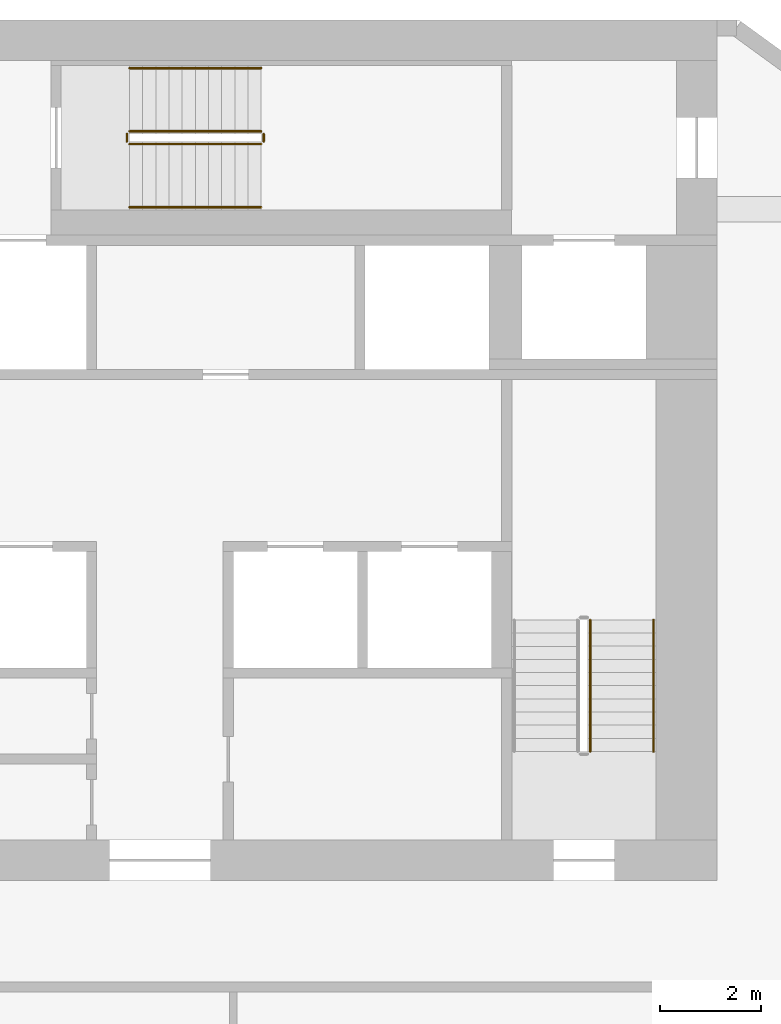
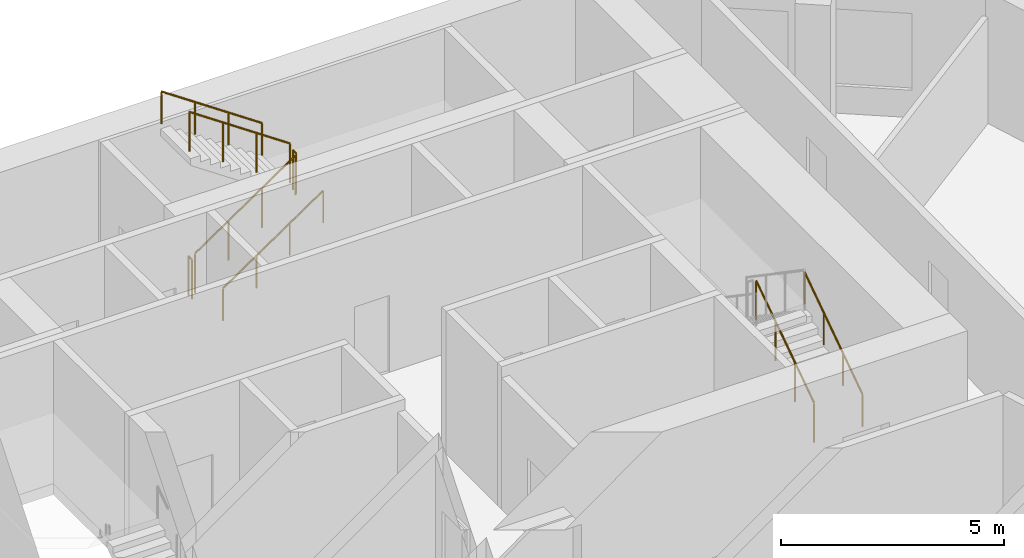
# One storey, part 9 of 9: 8 railings.
"""IFC4 building model written with IfcOpenShell, lengths in metres."""

import ifcopenshell
import ifcopenshell.guid

model = None  # the IFC model being written
_history = None  # IfcOwnerHistory: only IFC2X3 demands one
_inside = {}  # id of a spatial element -> (the spatial element, [elements in it])
_under = {}  # id of a project, library or spatial element -> (it, [spatial elements below it])
_declared = {}  # id of a project -> (the project, [libraries it declares])
_typed = {}  # id of a type object -> (the type object, [elements of that type])
_made_of = {}  # id of a material, layer set ... -> (it, [elements and type objects made of it])


def new_model(schema):
    """Start an empty IFC model of exactly this schema.

    Asked for "IFC4X3", IfcOpenShell would pick the latest addendum, in which some entities
    have other attributes; the version numbers below select the first issue.
    IFC2X3 requires an IfcOwnerHistory on every rooted entity: one is made here for all.
    """
    global model, _history
    if schema == "IFC4X3":
        model = ifcopenshell.file(schema_version=(4, 3, 0, 0))
    else:
        model = ifcopenshell.file(schema=schema)
    _inside.clear()
    _under.clear()
    _declared.clear()
    _typed.clear()
    _made_of.clear()
    _history = None
    if model.schema == "IFC2X3":
        org = make("IfcOrganization", Name="unknown")
        user = make(
            "IfcPersonAndOrganization",
            ThePerson=make("IfcPerson", FamilyName="unknown"),
            TheOrganization=org,
        )
        app = make(
            "IfcApplication",
            ApplicationDeveloper=org,
            Version="unknown",
            ApplicationFullName="unknown",
            ApplicationIdentifier="unknown",
        )
        _history = make(
            "IfcOwnerHistory",
            OwningUser=user,
            OwningApplication=app,
            ChangeAction="ADDED",
            CreationDate=0,
        )
    return model


def make(cls, **values):
    """One entity of the class cls with the attributes given. An attribute that is None is left unset."""
    return model.create_entity(
        cls, **{name: value for name, value in values.items() if value is not None}
    )


def rooted(cls, **values):
    """An entity with a GlobalId (a new one), such as an element, a storey or a relation."""
    return make(cls, GlobalId=ifcopenshell.guid.new(), OwnerHistory=_history, **values)


def si_unit(unit_type, name, prefix=None):
    """IfcSIUnit, for example si_unit("LENGTHUNIT", "METRE", prefix="MILLI")."""
    return make("IfcSIUnit", UnitType=unit_type, Prefix=prefix, Name=name)


def assignment(units):
    """IfcUnitAssignment: the units of a project."""
    return None if units is None else make("IfcUnitAssignment", Units=units)


def point(xyz):
    """IfcCartesianPoint."""
    return None if xyz is None else make("IfcCartesianPoint", Coordinates=xyz)


def direction(xyz):
    """IfcDirection."""
    return None if xyz is None else make("IfcDirection", DirectionRatios=xyz)


def frame(location, z_axis=None, x_axis=None):
    """IfcAxis2Placement3D, a coordinate frame: its origin and axes. An axis left out is left unset."""
    return make(
        "IfcAxis2Placement3D",
        Location=point(location),
        Axis=direction(z_axis),
        RefDirection=direction(x_axis),
    )


def frame_2d(location, x_axis=None):
    """IfcAxis2Placement2D, a coordinate frame in the plane: its origin and x axis."""
    return make(
        "IfcAxis2Placement2D", Location=point(location), RefDirection=direction(x_axis)
    )


def origin():
    """The frame at (0, 0, 0) with its axes left unset."""
    return frame((0.0, 0.0, 0.0))


def origin_2d():
    """The frame at (0, 0) in the plane with its x axis left unset."""
    return frame_2d((0.0, 0.0))


def place(relative_to, where):
    """IfcLocalPlacement: puts the frame where relative to a parent placement (None: the world)."""
    return make(
        "IfcLocalPlacement", PlacementRelTo=relative_to, RelativePlacement=where
    )


def context(
    kind, dimensions, precision=None, world=None, true_north=None, identifier=None
):
    """IfcGeometricRepresentationContext, for example the 3D "Model" context."""
    return make(
        "IfcGeometricRepresentationContext",
        ContextIdentifier=identifier,
        ContextType=kind,
        CoordinateSpaceDimension=dimensions,
        Precision=precision,
        WorldCoordinateSystem=world,
        TrueNorth=true_north,
    )


def subcontext(parent, identifier, kind, view, scale=None):
    """IfcGeometricRepresentationSubContext, for example "Body" below "Model"."""
    return make(
        "IfcGeometricRepresentationSubContext",
        ContextIdentifier=identifier,
        ContextType=kind,
        ParentContext=parent,
        TargetScale=scale,
        TargetView=view,
    )


def project(units=None, contexts=None):
    """IfcProject with its units and contexts."""
    return rooted(
        "IfcProject",
        Name="project",
        RepresentationContexts=contexts,
        UnitsInContext=assignment(units),
    )


def spatial(cls, under=None, at=None, **own):
    """A site, building, storey or space (cls), placed at a placement, below another one or the project."""
    s = rooted(cls, ObjectPlacement=at, **own)
    if under is not None:
        _under.setdefault(under.id(), (under, []))[1].append(s)
    return s


def profile(cls, at=None, kind="AREA", **sizes):
    """A parametric profile (cls). Its sizes go by their IFC names, for example OverallWidth=200.0."""
    return make(cls, ProfileType=kind, Position=at, **sizes)


def circle(**sizes):
    """IfcCircleProfileDef."""
    return profile("IfcCircleProfileDef", **sizes)


def extrude(swept, where, along, depth):
    """IfcExtrudedAreaSolid: the profile swept, set in the frame where, extruded along a direction by depth."""
    return make(
        "IfcExtrudedAreaSolid",
        SweptArea=swept,
        Position=where,
        ExtrudedDirection=direction(along),
        Depth=depth,
    )


def shape(context_of_items, identifier, shape_type, items):
    """IfcShapeRepresentation: the items that make up one representation, for example the "Body"."""
    return make(
        "IfcShapeRepresentation",
        ContextOfItems=context_of_items,
        RepresentationIdentifier=identifier,
        RepresentationType=shape_type,
        Items=items,
    )


def material(Name=None, Category=None):
    """IfcMaterial."""
    return make("IfcMaterial", Name=Name, Category=Category)


def made_of(thing, what):
    """Note that an element or type object is made of a material, layer set ...; save() writes the relation."""
    if what is not None:
        _made_of.setdefault(what.id(), (what, []))[1].append(thing)
    return thing


def type_object(cls, material=None, **own):
    """A type object (cls), such as IfcWallType, which elements share."""
    return made_of(rooted(cls, **own), material)


def element(
    cls,
    number,
    at=None,
    inside=None,
    cuts=None,
    type_object=None,
    material=None,
    context=None,
    identifier="Body",
    shape_type=None,
    held_by="IfcProductDefinitionShape",
    body=None,
    shapes=None,
    **own,
):
    """One element of the class cls, such as IfcWall. Its Tag is "e" and its number.

    at: its placement. inside: the storey or other place that contains it. cuts: it is an
    opening in that element (IfcRelVoidsElement). A single representation is given by context,
    identifier, shape_type and body (its items); several are given by shapes. held_by: the class
    of the entity that holds the representations. save() writes the other relations.
    """
    e = rooted(cls, Tag="e%d" % number, ObjectPlacement=at, **own)
    if body is not None:
        shapes = [shape(context, identifier, shape_type, body)]
    if shapes is not None:
        e.Representation = make(held_by, Representations=shapes)
    if inside is not None:
        _inside.setdefault(inside.id(), (inside, []))[1].append(e)
    if cuts is not None:
        rooted(
            "IfcRelVoidsElement", RelatingBuildingElement=cuts, RelatedOpeningElement=e
        )
    if type_object is not None:
        _typed.setdefault(type_object.id(), (type_object, []))[1].append(e)
    return made_of(e, material)


def aggregate(whole, parts):
    """IfcRelAggregates: a whole, such as a stair, and the parts it consists of."""
    return rooted("IfcRelAggregates", RelatingObject=whole, RelatedObjects=parts)


def save(model, path):
    """Write the relations noted so far, then the file.

    IfcRelAggregates (storeys below a building ...), IfcRelContainedInSpatialStructure (elements
    in a storey), IfcRelDefinesByType, IfcRelAssociatesMaterial and IfcRelDeclares: one each for
    every whole, place, type object, material and project.
    """
    for whole, parts in _under.values():
        aggregate(whole, parts)
    for where, things in _inside.values():
        rooted(
            "IfcRelContainedInSpatialStructure",
            RelatedElements=things,
            RelatingStructure=where,
        )
    for kind, things in _typed.values():
        rooted("IfcRelDefinesByType", RelatedObjects=things, RelatingType=kind)
    for what, things in _made_of.values():
        rooted("IfcRelAssociatesMaterial", RelatedObjects=things, RelatingMaterial=what)
    for by, libraries in _declared.values():
        rooted("IfcRelDeclares", RelatingContext=by, RelatedDefinitions=libraries)
    model.write(path)


model = new_model("IFC4")

# Units and contexts
model_context = context("Model", 3, precision=1e-05, world=origin(), true_north=direction((0.0, 1.0)))
body_context = subcontext(model_context, "Body", "Model", "MODEL_VIEW")
ifc_project = project(units=[si_unit("LENGTHUNIT", "METRE"), si_unit("AREAUNIT", "SQUARE_METRE"), si_unit("VOLUMEUNIT", "CUBIC_METRE"), si_unit("PLANEANGLEUNIT", "RADIAN"), si_unit("MASSUNIT", "GRAM", prefix="KILO")], contexts=[model_context])

# Site, building, storey
site_placement = place(None, origin())
site = spatial("IfcSite", under=ifc_project, at=site_placement, CompositionType="ELEMENT")
building_placement = place(site_placement, origin())
building = spatial("IfcBuilding", under=site, at=building_placement, Name="White Candle Pilgrim Tower", CompositionType="ELEMENT")
storey_placement = place(building_placement, frame((0.0, 0.0, 204.300048828125)))
storey = spatial("IfcBuildingStorey", under=building, at=storey_placement, Name="L47", CompositionType="ELEMENT", Elevation=204.300048828125)

# Railings
ifc_material = material(Name="Stainless steel", Category="steel")
railing_type_1 = type_object("IfcRailingType", Name="Stair guard stainless steel 1100 mm", PredefinedType="GUARDRAIL", material=ifc_material)
railing_1_placement = place(storey_placement, frame((78.5, 73.550048828125, 0.17724609375)))
element("IfcRailing", 1, at=railing_1_placement, inside=storey, type_object=railing_type_1, Name="L47 ST2 stair guard 1", PredefinedType="GUARDRAIL", context=body_context, shape_type="SweptSolid", body=[
    extrude(circle(Radius=0.02392578125, at=origin_2d()), frame((0.0, 0.0, 1.076171875), z_axis=(0.0, 0.826215852431, 0.563353676824), x_axis=(-1.0, 0.0, 0.0)), (0.0, 0.0, 1.0), 3.146728515625),
    extrude(circle(Radius=0.02099609375, at=origin_2d()), origin(), (0.0, 0.0, 1.0), 1.052001953125),
    extrude(circle(Radius=0.02099609375, at=origin_2d()), frame((0.0, 0.86669921875, 0.5908203125)), (0.0, 0.0, 1.0), 1.052001953125),
    extrude(circle(Radius=0.02099609375, at=origin_2d()), frame((0.0, 1.733154296875, 1.181884765625)), (0.0, 0.0, 1.0), 1.052001953125),
    extrude(circle(Radius=0.02099609375, at=origin_2d()), frame((0.0, 2.599853515625, 1.772705078125)), (0.0, 0.0, 1.0), 1.052001953125),
])
railing_2_placement = place(storey_placement, frame((69.39990234375, 85.550048828125, 0.17724609375)))
element("IfcRailing", 2, at=railing_2_placement, inside=storey, type_object=railing_type_1, Name="L47 ST3 stair guard 1", PredefinedType="GUARDRAIL", context=body_context, shape_type="SweptSolid", body=[
    extrude(circle(Radius=0.02392578125, at=origin_2d()), frame((0.0, 0.0, 1.076171875), z_axis=(0.826240473404, 0.0, 0.563317565952), x_axis=(0.0, 1.0, 0.0)), (0.0, 0.0, 1.0), 3.14697265625),
    extrude(circle(Radius=0.02099609375, at=origin_2d()), origin(), (0.0, 0.0, 1.0), 1.052001953125),
    extrude(circle(Radius=0.02099609375, at=origin_2d()), frame((0.86669921875, 0.0, 0.5908203125)), (0.0, 0.0, 1.0), 1.052001953125),
    extrude(circle(Radius=0.02099609375, at=origin_2d()), frame((1.7333984375, 0.0, 1.181884765625)), (0.0, 0.0, 1.0), 1.052001953125),
    extrude(circle(Radius=0.02099609375, at=origin_2d()), frame((2.60009765625, 0.0, 1.772705078125)), (0.0, 0.0, 1.0), 1.052001953125),
])
railing_3_placement = place(storey_placement, frame((72.050048828125, 85.60009765625, 1.949951171875)))
element("IfcRailing", 3, at=railing_3_placement, inside=storey, type_object=railing_type_1, Name="L47 ST3 stair guard 2", PredefinedType="GUARDRAIL", context=body_context, shape_type="SweptSolid", body=[
    extrude(circle(Radius=0.02392578125, at=origin_2d()), frame((0.0, 0.0, 1.076171875), z_axis=(0.0, 1.0, 0.0), x_axis=(-1.0, 0.0, 0.0)), (0.0, 0.0, 1.0), 0.14990234375),
    extrude(circle(Radius=0.02099609375, at=origin_2d()), origin(), (0.0, 0.0, 1.0), 1.052001953125),
    extrude(circle(Radius=0.02099609375, at=origin_2d()), frame((0.0, 0.14990234375, 0.0)), (0.0, 0.0, 1.0), 1.052001953125),
])
railing_4_placement = place(storey_placement, frame((72.0, 85.800048828125, 2.127197265625)))
element("IfcRailing", 4, at=railing_4_placement, inside=storey, type_object=railing_type_1, Name="L47 ST3 stair guard 3", PredefinedType="GUARDRAIL", context=body_context, shape_type="SweptSolid", body=[
    extrude(circle(Radius=0.02392578125, at=origin_2d()), frame((0.0, 0.0, 1.076171875), z_axis=(-0.826240473404, 0.0, 0.563317565952), x_axis=(0.0, -1.0, 0.0)), (0.0, 0.0, 1.0), 3.14697265625),
    extrude(circle(Radius=0.02099609375, at=origin_2d()), origin(), (0.0, 0.0, 1.0), 1.052001953125),
    extrude(circle(Radius=0.02099609375, at=origin_2d()), frame((-0.86669921875, 0.0, 0.5908203125)), (0.0, 0.0, 1.0), 1.052001953125),
    extrude(circle(Radius=0.02099609375, at=origin_2d()), frame((-1.7333984375, 0.0, 1.181884765625)), (0.0, 0.0, 1.0), 1.052001953125),
    extrude(circle(Radius=0.02099609375, at=origin_2d()), frame((-2.60009765625, 0.0, 1.772705078125)), (0.0, 0.0, 1.0), 1.052001953125),
])
railing_5_placement = place(storey_placement, frame((69.35009765625, 85.60009765625, 0.0)))
element("IfcRailing", 5, at=railing_5_placement, inside=storey, type_object=railing_type_1, Name="L47 ST3 stair guard 4", PredefinedType="GUARDRAIL", context=body_context, shape_type="SweptSolid", body=[
    extrude(circle(Radius=0.02392578125, at=origin_2d()), frame((0.0, 0.0, 1.076171875), z_axis=(0.0, 1.0, 0.0), x_axis=(-1.0, 0.0, 0.0)), (0.0, 0.0, 1.0), 0.14990234375),
    extrude(circle(Radius=0.02099609375, at=origin_2d()), origin(), (0.0, 0.0, 1.0), 1.052001953125),
    extrude(circle(Radius=0.02099609375, at=origin_2d()), frame((0.0, 0.14990234375, 0.0)), (0.0, 0.0, 1.0), 1.052001953125),
])
railing_type_2 = type_object("IfcRailingType", Name="Stair handrail stainless steel", PredefinedType="HANDRAIL", material=ifc_material)
railing_6_placement = place(storey_placement, frame((79.75, 73.550048828125, 0.17724609375)))
element("IfcRailing", 6, at=railing_6_placement, inside=storey, type_object=railing_type_2, Name="L47 ST2 stair handrail 1", PredefinedType="HANDRAIL", context=body_context, shape_type="SweptSolid", body=[
    extrude(circle(Radius=0.02392578125, at=origin_2d()), frame((0.0, 0.0, 0.8759765625), z_axis=(0.0, 0.826215852431, 0.563353676824), x_axis=(-1.0, 0.0, 0.0)), (0.0, 0.0, 1.0), 3.146728515625),
    extrude(circle(Radius=0.02099609375, at=origin_2d()), origin(), (0.0, 0.0, 1.0), 0.851806640625),
    extrude(circle(Radius=0.02099609375, at=origin_2d()), frame((0.0, 0.86669921875, 0.5908203125)), (0.0, 0.0, 1.0), 0.851806640625),
    extrude(circle(Radius=0.02099609375, at=origin_2d()), frame((0.0, 1.733154296875, 1.181884765625)), (0.0, 0.0, 1.0), 0.851806640625),
    extrude(circle(Radius=0.02099609375, at=origin_2d()), frame((0.0, 2.599853515625, 1.772705078125)), (0.0, 0.0, 1.0), 0.851806640625),
])
railing_7_placement = place(storey_placement, frame((69.39990234375, 84.300048828125, 0.17724609375)))
element("IfcRailing", 7, at=railing_7_placement, inside=storey, type_object=railing_type_2, Name="L47 ST3 stair handrail 1", PredefinedType="HANDRAIL", context=body_context, shape_type="SweptSolid", body=[
    extrude(circle(Radius=0.02392578125, at=origin_2d()), frame((0.0, 0.0, 0.8759765625), z_axis=(0.826240473404, 0.0, 0.563317565952), x_axis=(0.0, 1.0, 0.0)), (0.0, 0.0, 1.0), 3.14697265625),
    extrude(circle(Radius=0.02099609375, at=origin_2d()), origin(), (0.0, 0.0, 1.0), 0.851806640625),
    extrude(circle(Radius=0.02099609375, at=origin_2d()), frame((0.86669921875, 0.0, 0.5908203125)), (0.0, 0.0, 1.0), 0.851806640625),
    extrude(circle(Radius=0.02099609375, at=origin_2d()), frame((1.7333984375, 0.0, 1.181884765625)), (0.0, 0.0, 1.0), 0.851806640625),
    extrude(circle(Radius=0.02099609375, at=origin_2d()), frame((2.60009765625, 0.0, 1.772705078125)), (0.0, 0.0, 1.0), 0.851806640625),
])
railing_8_placement = place(storey_placement, frame((72.0, 87.050048828125, 2.127197265625)))
element("IfcRailing", 8, at=railing_8_placement, inside=storey, type_object=railing_type_2, Name="L47 ST3 stair handrail 2", PredefinedType="HANDRAIL", context=body_context, shape_type="SweptSolid", body=[
    extrude(circle(Radius=0.02392578125, at=origin_2d()), frame((0.0, 0.0, 0.8759765625), z_axis=(-0.826240473404, 0.0, 0.563317565952), x_axis=(0.0, -1.0, 0.0)), (0.0, 0.0, 1.0), 3.14697265625),
    extrude(circle(Radius=0.02099609375, at=origin_2d()), origin(), (0.0, 0.0, 1.0), 0.851806640625),
    extrude(circle(Radius=0.02099609375, at=origin_2d()), frame((-0.86669921875, 0.0, 0.5908203125)), (0.0, 0.0, 1.0), 0.851806640625),
    extrude(circle(Radius=0.02099609375, at=origin_2d()), frame((-1.7333984375, 0.0, 1.181884765625)), (0.0, 0.0, 1.0), 0.851806640625),
    extrude(circle(Radius=0.02099609375, at=origin_2d()), frame((-2.60009765625, 0.0, 1.772705078125)), (0.0, 0.0, 1.0), 0.851806640625),
])

save(model, "model.ifc")
